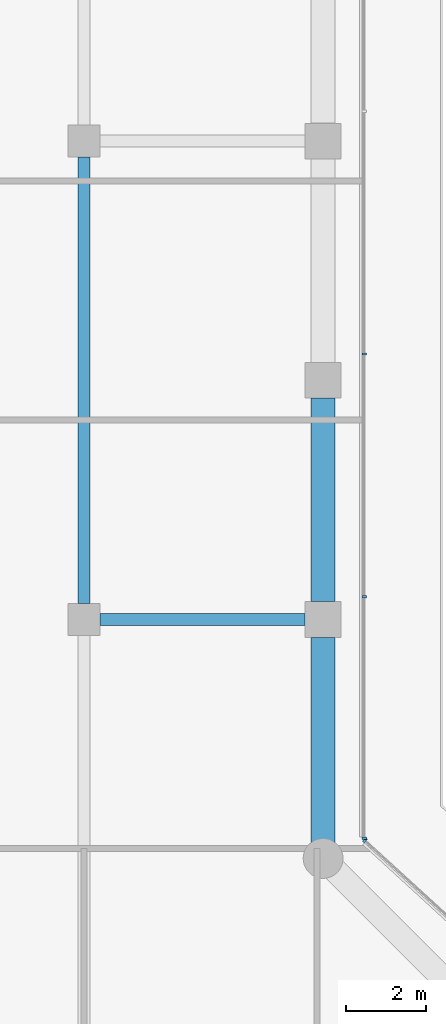
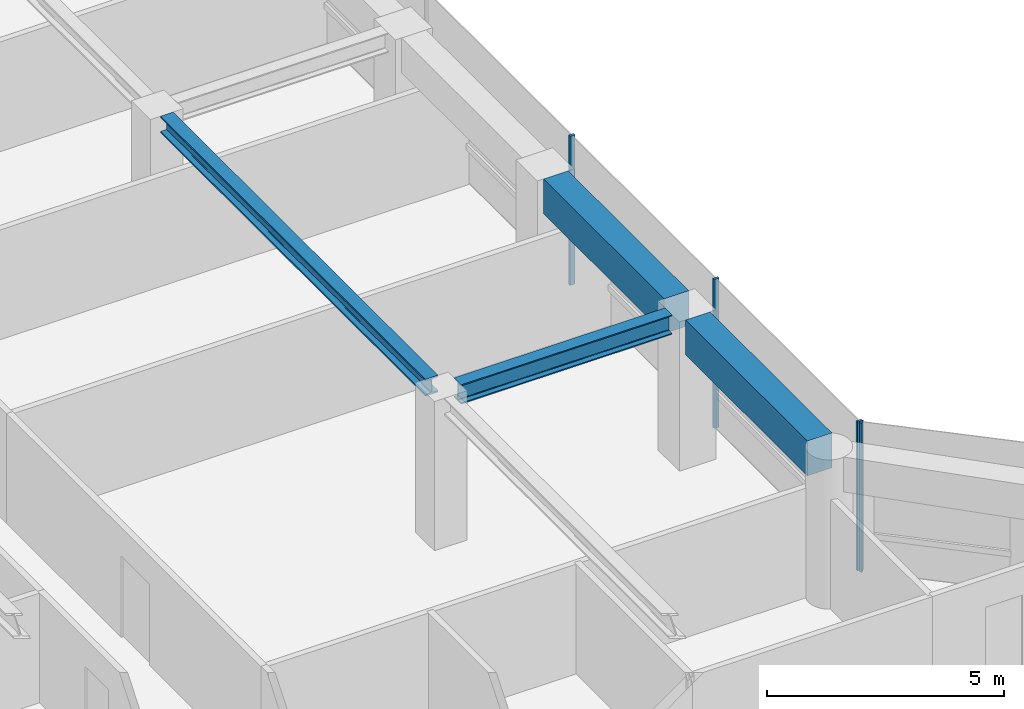
# One storey, part 13 of 24: 4 beams, 4 members, 2 elements without a shape of their own.
"""IFC4 building model written with IfcOpenShell, lengths in metres."""

from ifc_helpers import new_model, si_unit, direction, frame, origin, origin_2d, place, context, subcontext, project, spatial, rectangle, i_section, extrude, material, layer, layer_set, material_profile, profile_set, type_object, element, aggregate, save


model = new_model("IFC4")

# Units and contexts
model_context = context("Model", 3, precision=1e-05, world=origin(), true_north=direction((0.0, 1.0)))
body_context = subcontext(model_context, "Body", "Model", "MODEL_VIEW")
ifc_project = project(units=[si_unit("LENGTHUNIT", "METRE"), si_unit("AREAUNIT", "SQUARE_METRE"), si_unit("VOLUMEUNIT", "CUBIC_METRE"), si_unit("PLANEANGLEUNIT", "RADIAN"), si_unit("MASSUNIT", "GRAM", prefix="KILO")], contexts=[model_context])

# Site, building, storey
site_placement = place(None, origin())
site = spatial("IfcSite", under=ifc_project, at=site_placement, CompositionType="ELEMENT")
building_placement = place(site_placement, origin())
building = spatial("IfcBuilding", under=site, at=building_placement, Name="Welwitschia Terrace Campus", CompositionType="ELEMENT")
storey_placement = place(building_placement, frame((0.0, 0.0, 100.39990234375)))
storey = spatial("IfcBuildingStorey", under=building, at=storey_placement, Name="L22", CompositionType="ELEMENT", Elevation=100.39990234375)

# Beam
ifc_material_1 = material(Name="Steel S355", Category="steel")
ifc_material_profile_1 = material_profile(ifc_material_1, i_section(OverallWidth=0.306884765625, OverallDepth=0.431884765625, WebThickness=0.02099609375, FlangeThickness=0.0400390625, FilletRadius=0.027099609375, at=origin_2d()))
ifc_profile_set_1 = profile_set([ifc_material_profile_1], Name="Steel S355")
beam_type_1 = type_object("IfcBeamType", Name="Interior girder HE 400 M", PredefinedType="BEAM", material=ifc_profile_set_1)
beam_1_placement = place(storey_placement, frame((18.0, 40.400390625, 3.634033203125), z_axis=(0.0, 1.0, 0.0), x_axis=(-1.0, 0.0, 0.0)))
element("IfcBeam", 1, at=beam_1_placement, inside=storey, type_object=beam_type_1, Name="Girder GB3", PredefinedType="BEAM", context=body_context, shape_type="SweptSolid", body=[
    extrude(i_section(OverallWidth=0.306884765625, OverallDepth=0.431884765625, WebThickness=0.02099609375, FlangeThickness=0.0400390625, FilletRadius=0.027099609375, at=origin_2d()), origin(), (0.0, 0.0, 1.0), 11.19921875),
])

# Curtain wall, member
ifc_material_2 = material(Name="Bronze anodised aluminium", Category="aluminium")
ifc_layer = layer(ifc_material_2, 0.1201171875)
ifc_layer_set = layer_set([ifc_layer], Name="Bronze anodised aluminium")
curtain_wall_type = type_object("IfcCurtainWallType", Name="Curtain wall CW2 tower 6000", PredefinedType="NOTDEFINED", material=ifc_layer_set)
curtain_wall_1_placement = place(storey_placement, origin())
curtain_wall_1 = element("IfcCurtainWall", 2, at=curtain_wall_1_placement, inside=storey, type_object=curtain_wall_type, Name="CW L22.8.0", PredefinedType="NOTDEFINED")
ifc_material_3 = material(Name="Bronze anodised aluminium", Category="aluminium")
ifc_material_profile_2 = material_profile(ifc_material_3, rectangle(XDim=0.1201171875, YDim=0.06005859375, at=origin_2d()))
ifc_profile_set_2 = profile_set([ifc_material_profile_2], Name="Bronze anodised aluminium")
member_type = type_object("IfcMemberType", Name="Mullion 60x120", PredefinedType="MULLION", material=ifc_profile_set_2)
member_1_placement = place(storey_placement, frame((25.052001953125, 34.455810546875, 0.0), z_axis=(0.0, 0.0, 1.0), x_axis=(-0.675590207616, -0.73727733681, 0.0)))
member_1 = element("IfcMember", 3, at=member_1_placement, type_object=member_type, Name="Mullion L22.8.0.1", PredefinedType="MULLION", context=body_context, shape_type="SweptSolid", body=[
    extrude(rectangle(XDim=0.1201171875, YDim=0.06005859375, at=origin_2d()), origin(), (0.0, 0.0, 1.0), 3.85009765625),
])
aggregate(curtain_wall_1, [member_1])

# Curtain wall, members
curtain_wall_2_placement = place(storey_placement, origin())
curtain_wall_2 = element("IfcCurtainWall", 4, at=curtain_wall_2_placement, inside=storey, type_object=curtain_wall_type, Name="CW L22.9.0", PredefinedType="NOTDEFINED")
member_2_placement = place(storey_placement, frame((25.030029296875, 34.506103515625, 0.0), z_axis=(0.0, 0.0, 1.0), x_axis=(-1.0, 0.0, 0.0)))
member_2 = element("IfcMember", 5, at=member_2_placement, type_object=member_type, Name="Mullion L22.9.0.0", PredefinedType="MULLION", context=body_context, shape_type="SweptSolid", body=[
    extrude(rectangle(XDim=0.1201171875, YDim=0.06005859375, at=origin_2d()), origin(), (0.0, 0.0, 1.0), 3.85009765625),
])
member_3_placement = place(storey_placement, frame((25.030029296875, 40.568359375, 0.0), z_axis=(0.0, 0.0, 1.0), x_axis=(-1.0, 0.0, 0.0)))
member_3 = element("IfcMember", 6, at=member_3_placement, type_object=member_type, Name="Mullion L22.9.0.1", PredefinedType="MULLION", context=body_context, shape_type="SweptSolid", body=[
    extrude(rectangle(XDim=0.1201171875, YDim=0.06005859375, at=origin_2d()), origin(), (0.0, 0.0, 1.0), 3.85009765625),
])
member_4_placement = place(storey_placement, frame((25.030029296875, 46.66064453125, 0.0), z_axis=(0.0, 0.0, 1.0), x_axis=(-1.0, 0.0, 0.0)))
member_4 = element("IfcMember", 7, at=member_4_placement, type_object=member_type, Name="Mullion L22.9.0.2", PredefinedType="MULLION", context=body_context, shape_type="SweptSolid", body=[
    extrude(rectangle(XDim=0.1201171875, YDim=0.06005859375, at=origin_2d()), origin(), (0.0, 0.0, 1.0), 3.85009765625),
])
aggregate(curtain_wall_2, [member_2, member_3, member_4])

# Beams
ifc_material_4 = material(Name="Steel S355", Category="steel")
ifc_material_profile_3 = material_profile(ifc_material_4, i_section(OverallWidth=0.300048828125, OverallDepth=0.5, WebThickness=0.014404296875, FlangeThickness=0.028076171875, FilletRadius=0.027099609375, at=origin_2d()))
ifc_profile_set_3 = profile_set([ifc_material_profile_3], Name="Steel S355")
beam_type_2 = type_object("IfcBeamType", Name="Primary beam HE 500 B", PredefinedType="BEAM", material=ifc_profile_set_3)
beam_2_placement = place(storey_placement, frame((23.549560546875, 40.0, 3.60009765625), z_axis=(-1.0, 0.0, 0.0), x_axis=(0.0, -1.0, 0.0)))
element("IfcBeam", 8, at=beam_2_placement, inside=storey, type_object=beam_type_2, Name="Primary beam PB3", PredefinedType="BEAM", context=body_context, shape_type="SweptSolid", body=[
    extrude(i_section(OverallWidth=0.300048828125, OverallDepth=0.5, WebThickness=0.014404296875, FlangeThickness=0.028076171875, FilletRadius=0.027099609375, at=origin_2d()), origin(), (0.0, 0.0, 1.0), 5.149169921875),
])
ifc_material_5 = material(Name="Concrete C60/75", Category="concrete")
ifc_material_profile_4 = material_profile(ifc_material_5, rectangle(XDim=0.60009765625, YDim=0.89990234375, at=origin_2d()))
ifc_profile_set_4 = profile_set([ifc_material_profile_4], Name="Concrete C60/75")
beam_type_3 = type_object("IfcBeamType", Name="Ring spandrel 600x900", PredefinedType="SPANDREL", material=ifc_profile_set_4)
beam_3_placement = place(storey_placement, frame((24.0, 34.400390625, 3.400146484375), z_axis=(0.0, 1.0, 0.0), x_axis=(-1.0, 0.0, 0.0)))
element("IfcBeam", 9, at=beam_3_placement, inside=storey, type_object=beam_type_3, Name="Spandrel SP2", PredefinedType="SPANDREL", context=body_context, shape_type="SweptSolid", body=[
    extrude(rectangle(XDim=0.60009765625, YDim=0.89990234375, at=origin_2d()), origin(), (0.0, 0.0, 1.0), 5.149169921875),
])
beam_4_placement = place(storey_placement, frame((24.0, 40.450439453125, 3.400146484375), z_axis=(0.0, 1.0, 0.0), x_axis=(-1.0, 0.0, 0.0)))
element("IfcBeam", 10, at=beam_4_placement, inside=storey, type_object=beam_type_3, Name="Spandrel SP2", PredefinedType="SPANDREL", context=body_context, shape_type="SweptSolid", body=[
    extrude(rectangle(XDim=0.60009765625, YDim=0.89990234375, at=origin_2d()), origin(), (0.0, 0.0, 1.0), 5.09912109375),
])

save(model, "model.ifc")
